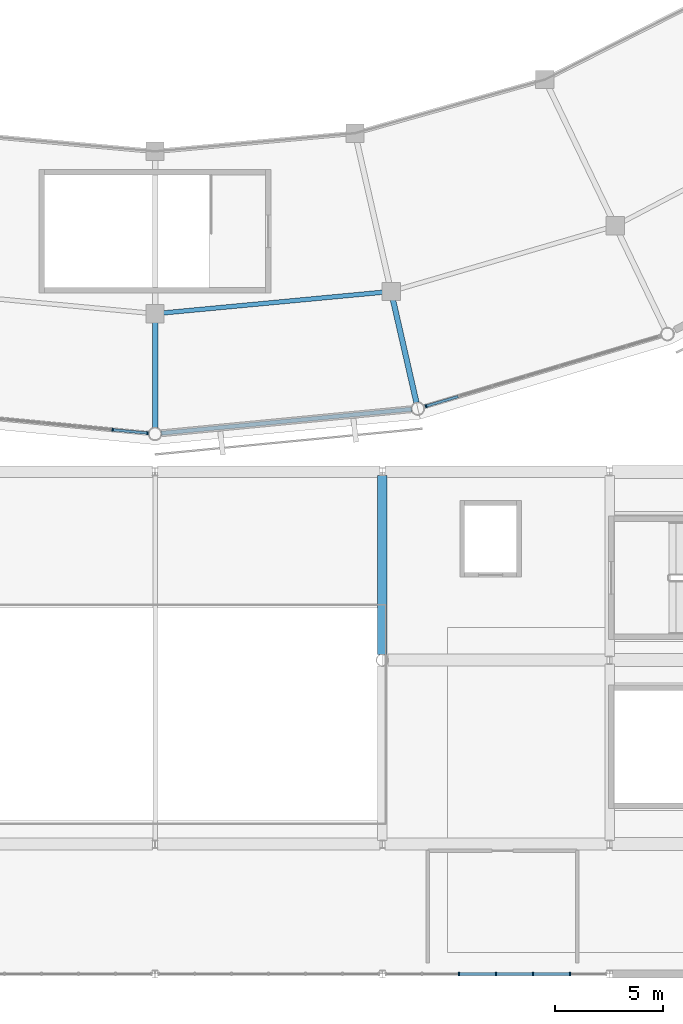
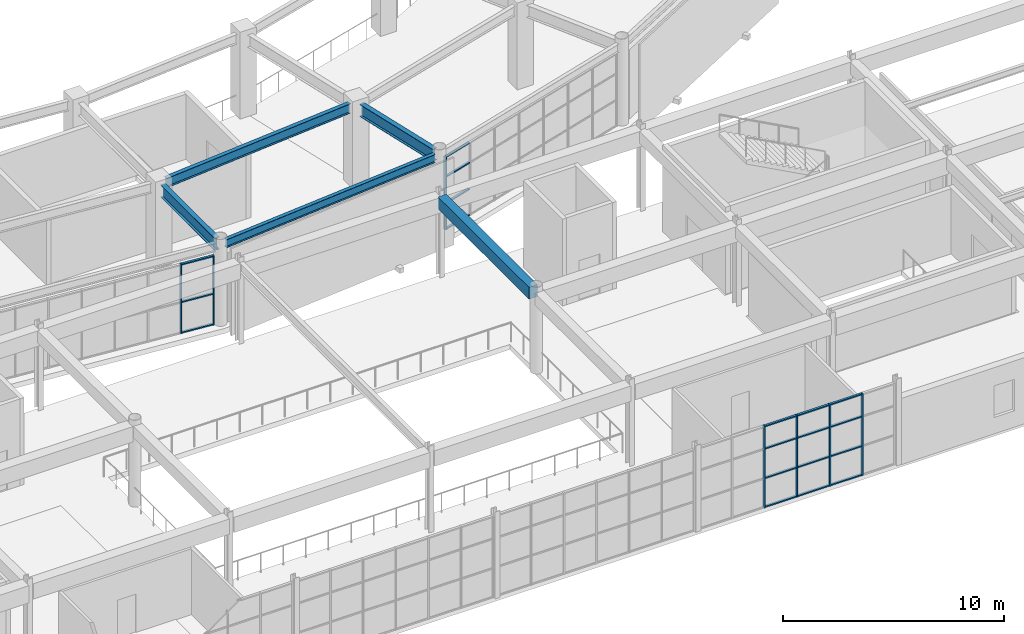
# One storey, part 28 of 112: 26 members, 5 beams, 3 elements without a shape of their own.
"""IFC4 building model written with IfcOpenShell, lengths in metres."""

import ifcopenshell
import ifcopenshell.guid

model = None  # the IFC model being written
_history = None  # IfcOwnerHistory: only IFC2X3 demands one
_inside = {}  # id of a spatial element -> (the spatial element, [elements in it])
_under = {}  # id of a project, library or spatial element -> (it, [spatial elements below it])
_declared = {}  # id of a project -> (the project, [libraries it declares])
_typed = {}  # id of a type object -> (the type object, [elements of that type])
_made_of = {}  # id of a material, layer set ... -> (it, [elements and type objects made of it])


def new_model(schema):
    """Start an empty IFC model of exactly this schema.

    Asked for "IFC4X3", IfcOpenShell would pick the latest addendum, in which some entities
    have other attributes; the version numbers below select the first issue.
    IFC2X3 requires an IfcOwnerHistory on every rooted entity: one is made here for all.
    """
    global model, _history
    if schema == "IFC4X3":
        model = ifcopenshell.file(schema_version=(4, 3, 0, 0))
    else:
        model = ifcopenshell.file(schema=schema)
    _inside.clear()
    _under.clear()
    _declared.clear()
    _typed.clear()
    _made_of.clear()
    _history = None
    if model.schema == "IFC2X3":
        org = make("IfcOrganization", Name="unknown")
        user = make(
            "IfcPersonAndOrganization",
            ThePerson=make("IfcPerson", FamilyName="unknown"),
            TheOrganization=org,
        )
        app = make(
            "IfcApplication",
            ApplicationDeveloper=org,
            Version="unknown",
            ApplicationFullName="unknown",
            ApplicationIdentifier="unknown",
        )
        _history = make(
            "IfcOwnerHistory",
            OwningUser=user,
            OwningApplication=app,
            ChangeAction="ADDED",
            CreationDate=0,
        )
    return model


def make(cls, **values):
    """One entity of the class cls with the attributes given. An attribute that is None is left unset."""
    return model.create_entity(
        cls, **{name: value for name, value in values.items() if value is not None}
    )


def rooted(cls, **values):
    """An entity with a GlobalId (a new one), such as an element, a storey or a relation."""
    return make(cls, GlobalId=ifcopenshell.guid.new(), OwnerHistory=_history, **values)


def si_unit(unit_type, name, prefix=None):
    """IfcSIUnit, for example si_unit("LENGTHUNIT", "METRE", prefix="MILLI")."""
    return make("IfcSIUnit", UnitType=unit_type, Prefix=prefix, Name=name)


def assignment(units):
    """IfcUnitAssignment: the units of a project."""
    return None if units is None else make("IfcUnitAssignment", Units=units)


def point(xyz):
    """IfcCartesianPoint."""
    return None if xyz is None else make("IfcCartesianPoint", Coordinates=xyz)


def direction(xyz):
    """IfcDirection."""
    return None if xyz is None else make("IfcDirection", DirectionRatios=xyz)


def frame(location, z_axis=None, x_axis=None):
    """IfcAxis2Placement3D, a coordinate frame: its origin and axes. An axis left out is left unset."""
    return make(
        "IfcAxis2Placement3D",
        Location=point(location),
        Axis=direction(z_axis),
        RefDirection=direction(x_axis),
    )


def frame_2d(location, x_axis=None):
    """IfcAxis2Placement2D, a coordinate frame in the plane: its origin and x axis."""
    return make(
        "IfcAxis2Placement2D", Location=point(location), RefDirection=direction(x_axis)
    )


def origin():
    """The frame at (0, 0, 0) with its axes left unset."""
    return frame((0.0, 0.0, 0.0))


def origin_2d():
    """The frame at (0, 0) in the plane with its x axis left unset."""
    return frame_2d((0.0, 0.0))


def place(relative_to, where):
    """IfcLocalPlacement: puts the frame where relative to a parent placement (None: the world)."""
    return make(
        "IfcLocalPlacement", PlacementRelTo=relative_to, RelativePlacement=where
    )


def context(
    kind, dimensions, precision=None, world=None, true_north=None, identifier=None
):
    """IfcGeometricRepresentationContext, for example the 3D "Model" context."""
    return make(
        "IfcGeometricRepresentationContext",
        ContextIdentifier=identifier,
        ContextType=kind,
        CoordinateSpaceDimension=dimensions,
        Precision=precision,
        WorldCoordinateSystem=world,
        TrueNorth=true_north,
    )


def subcontext(parent, identifier, kind, view, scale=None):
    """IfcGeometricRepresentationSubContext, for example "Body" below "Model"."""
    return make(
        "IfcGeometricRepresentationSubContext",
        ContextIdentifier=identifier,
        ContextType=kind,
        ParentContext=parent,
        TargetScale=scale,
        TargetView=view,
    )


def project(units=None, contexts=None):
    """IfcProject with its units and contexts."""
    return rooted(
        "IfcProject",
        Name="project",
        RepresentationContexts=contexts,
        UnitsInContext=assignment(units),
    )


def spatial(cls, under=None, at=None, **own):
    """A site, building, storey or space (cls), placed at a placement, below another one or the project."""
    s = rooted(cls, ObjectPlacement=at, **own)
    if under is not None:
        _under.setdefault(under.id(), (under, []))[1].append(s)
    return s


def profile(cls, at=None, kind="AREA", **sizes):
    """A parametric profile (cls). Its sizes go by their IFC names, for example OverallWidth=200.0."""
    return make(cls, ProfileType=kind, Position=at, **sizes)


def rectangle(**sizes):
    """IfcRectangleProfileDef."""
    return profile("IfcRectangleProfileDef", **sizes)


def i_section(**sizes):
    """IfcIShapeProfileDef."""
    return profile("IfcIShapeProfileDef", **sizes)


def extrude(swept, where, along, depth):
    """IfcExtrudedAreaSolid: the profile swept, set in the frame where, extruded along a direction by depth."""
    return make(
        "IfcExtrudedAreaSolid",
        SweptArea=swept,
        Position=where,
        ExtrudedDirection=direction(along),
        Depth=depth,
    )


def shape(context_of_items, identifier, shape_type, items):
    """IfcShapeRepresentation: the items that make up one representation, for example the "Body"."""
    return make(
        "IfcShapeRepresentation",
        ContextOfItems=context_of_items,
        RepresentationIdentifier=identifier,
        RepresentationType=shape_type,
        Items=items,
    )


def material(Name=None, Category=None):
    """IfcMaterial."""
    return make("IfcMaterial", Name=Name, Category=Category)


def material_profile(
    of_material, cross_section, Name=None, Category=None, Priority=None
):
    """IfcMaterialProfile: a cross section and its material."""
    return make(
        "IfcMaterialProfile",
        Name=Name,
        Material=of_material,
        Profile=cross_section,
        Priority=Priority,
        Category=Category,
    )


def profile_set(profiles, Name=None, composite=None):
    """IfcMaterialProfileSet."""
    return make(
        "IfcMaterialProfileSet",
        Name=Name,
        MaterialProfiles=profiles,
        CompositeProfile=composite,
    )


def made_of(thing, what):
    """Note that an element or type object is made of a material, layer set ...; save() writes the relation."""
    if what is not None:
        _made_of.setdefault(what.id(), (what, []))[1].append(thing)
    return thing


def type_object(cls, material=None, **own):
    """A type object (cls), such as IfcWallType, which elements share."""
    return made_of(rooted(cls, **own), material)


def element(
    cls,
    number,
    at=None,
    inside=None,
    cuts=None,
    type_object=None,
    material=None,
    context=None,
    identifier="Body",
    shape_type=None,
    held_by="IfcProductDefinitionShape",
    body=None,
    shapes=None,
    **own,
):
    """One element of the class cls, such as IfcWall. Its Tag is "e" and its number.

    at: its placement. inside: the storey or other place that contains it. cuts: it is an
    opening in that element (IfcRelVoidsElement). A single representation is given by context,
    identifier, shape_type and body (its items); several are given by shapes. held_by: the class
    of the entity that holds the representations. save() writes the other relations.
    """
    e = rooted(cls, Tag="e%d" % number, ObjectPlacement=at, **own)
    if body is not None:
        shapes = [shape(context, identifier, shape_type, body)]
    if shapes is not None:
        e.Representation = make(held_by, Representations=shapes)
    if inside is not None:
        _inside.setdefault(inside.id(), (inside, []))[1].append(e)
    if cuts is not None:
        rooted(
            "IfcRelVoidsElement", RelatingBuildingElement=cuts, RelatedOpeningElement=e
        )
    if type_object is not None:
        _typed.setdefault(type_object.id(), (type_object, []))[1].append(e)
    return made_of(e, material)


def aggregate(whole, parts):
    """IfcRelAggregates: a whole, such as a stair, and the parts it consists of."""
    return rooted("IfcRelAggregates", RelatingObject=whole, RelatedObjects=parts)


def save(model, path):
    """Write the relations noted so far, then the file.

    IfcRelAggregates (storeys below a building ...), IfcRelContainedInSpatialStructure (elements
    in a storey), IfcRelDefinesByType, IfcRelAssociatesMaterial and IfcRelDeclares: one each for
    every whole, place, type object, material and project.
    """
    for whole, parts in _under.values():
        aggregate(whole, parts)
    for where, things in _inside.values():
        rooted(
            "IfcRelContainedInSpatialStructure",
            RelatedElements=things,
            RelatingStructure=where,
        )
    for kind, things in _typed.values():
        rooted("IfcRelDefinesByType", RelatedObjects=things, RelatingType=kind)
    for what, things in _made_of.values():
        rooted("IfcRelAssociatesMaterial", RelatedObjects=things, RelatingMaterial=what)
    for by, libraries in _declared.values():
        rooted("IfcRelDeclares", RelatingContext=by, RelatedDefinitions=libraries)
    model.write(path)


model = new_model("IFC4")

# Units and contexts
model_context = context("Model", 3, precision=1e-05, world=origin(), true_north=direction((0.0, 1.0)))
body_context = subcontext(model_context, "Body", "Model", "MODEL_VIEW")
ifc_project = project(units=[si_unit("LENGTHUNIT", "METRE"), si_unit("AREAUNIT", "SQUARE_METRE"), si_unit("VOLUMEUNIT", "CUBIC_METRE"), si_unit("PLANEANGLEUNIT", "RADIAN"), si_unit("MASSUNIT", "GRAM", prefix="KILO")], contexts=[model_context])

# Site, building, storey
site_placement = place(None, origin())
site = spatial("IfcSite", under=ifc_project, at=site_placement, CompositionType="ELEMENT")
building_placement = place(site_placement, origin())
building = spatial("IfcBuilding", under=site, at=building_placement, Name="Cuetzalor Civic Arena", CompositionType="ELEMENT")
storey_placement = place(building_placement, frame((0.0, 0.0, 11.39990234375)))
storey = spatial("IfcBuildingStorey", under=building, at=storey_placement, Name="L02", CompositionType="ELEMENT", Elevation=11.39990234375)

# Beam
ifc_material_1 = material(Name="Concrete C40/50", Category="concrete")
ifc_material_profile_1 = material_profile(ifc_material_1, rectangle(XDim=0.449951171875, YDim=0.64990234375, at=origin_2d()), Name="RC 450x650")
ifc_profile_set_1 = profile_set([ifc_material_profile_1], Name="Concrete C40/50")
beam_type_1 = type_object("IfcBeamType", Name="ConcreteTieBeam_450x650", PredefinedType="BEAM", material=ifc_profile_set_1)
beam_1_placement = place(storey_placement, frame((10.5, -56.73046875, 4.195068359375), z_axis=(0.0, 1.0, 0.0), x_axis=(-1.0, 0.0, 0.0)))
element("IfcBeam", 1, at=beam_1_placement, inside=storey, type_object=beam_type_1, Name="Frame Girder V3-L02-Y0613", PredefinedType="BEAM", context=body_context, shape_type="SweptSolid", body=[
    extrude(rectangle(XDim=0.449951171875, YDim=0.64990234375, at=origin_2d()), origin(), (0.0, 0.0, 1.0), 8.259033203125),
])

# Curtain wall, members
ifc_material_2 = material(Name="Anodised dark bronze aluminium and low-E solar glass", Category="aluminium")
curtain_wall_type_1 = type_object("IfcCurtainWallType", Name="UnitisedCW_11550x3850", PredefinedType="USERDEFINED", material=ifc_material_2)
curtain_wall_1_placement = place(storey_placement, origin())
curtain_wall_1 = element("IfcCurtainWall", 2, at=curtain_wall_1_placement, inside=storey, type_object=curtain_wall_type_1, Name="Drum Triangle Foyer Curtain Wall L02-041", ObjectType="UNITISED CURTAIN WALL", PredefinedType="USERDEFINED")
ifc_material_3 = material(Name="Anodised dark bronze aluminium", Category="aluminium")
ifc_material_profile_2 = material_profile(ifc_material_3, rectangle(XDim=0.06494140625, YDim=0.14990234375, at=origin_2d()), Name="ALU MULLION 65x150")
ifc_profile_set_2 = profile_set([ifc_material_profile_2], Name="Anodised dark bronze aluminium")
member_type_1 = type_object("IfcMemberType", Name="CurtainWallMullion_60x150", PredefinedType="MULLION", material=ifc_profile_set_2)
member_1_placement = place(storey_placement, frame((-0.345703125, -46.516845703125, 0.0), z_axis=(0.0, 0.0, 1.0), x_axis=(-0.995409139996, 0.095711253324, 0.0)))
member_1 = element("IfcMember", 3, at=member_1_placement, type_object=member_type_1, Name="CW-14 mullion 1", PredefinedType="MULLION", context=body_context, shape_type="SweptSolid", body=[
    extrude(rectangle(XDim=0.06494140625, YDim=0.14990234375, at=origin_2d()), origin(), (0.0, 0.0, 1.0), 3.83203125),
])
member_2_placement = place(storey_placement, frame((-1.957763671875, -46.36181640625, 0.0), z_axis=(0.0, 0.0, 1.0), x_axis=(-0.995409139996, 0.095711253324, 0.0)))
member_2 = element("IfcMember", 4, at=member_2_placement, type_object=member_type_1, Name="CW-14 mullion 2", PredefinedType="MULLION", context=body_context, shape_type="SweptSolid", body=[
    extrude(rectangle(XDim=0.06494140625, YDim=0.14990234375, at=origin_2d()), origin(), (0.0, 0.0, 1.0), 3.83203125),
])

# Curtain wall, member
ifc_material_4 = material(Name="Anodised dark bronze aluminium and low-E solar glass", Category="aluminium")
curtain_wall_type_2 = type_object("IfcCurtainWallType", Name="UnitisedCW_11300x4050", PredefinedType="USERDEFINED", material=ifc_material_4)
curtain_wall_2_placement = place(storey_placement, origin())
curtain_wall_2 = element("IfcCurtainWall", 5, at=curtain_wall_2_placement, inside=storey, type_object=curtain_wall_type_2, Name="Drum Triangle Foyer Curtain Wall L02-042", ObjectType="UNITISED CURTAIN WALL", PredefinedType="USERDEFINED")
member_3_placement = place(storey_placement, frame((12.51611328125, -45.270263671875, 0.0), z_axis=(0.0, 0.0, 1.0), x_axis=(-0.958193690548, -0.286120344251, 0.0)))
member_3 = element("IfcMember", 6, at=member_3_placement, type_object=member_type_1, Name="CW-15 mullion 8", PredefinedType="MULLION", context=body_context, shape_type="SweptSolid", body=[
    extrude(rectangle(XDim=0.06494140625, YDim=0.14990234375, at=origin_2d()), origin(), (0.0, 0.0, 1.0), 4.052978515625),
])

# Curtain wall, members
ifc_material_5 = material(Name="Anodised dark bronze aluminium and low-E solar glass", Category="aluminium")
curtain_wall_type_3 = type_object("IfcCurtainWallType", Name="StickCW_10250x4500", PredefinedType="USERDEFINED", material=ifc_material_5)
curtain_wall_3_placement = place(storey_placement, origin())
curtain_wall_3 = element("IfcCurtainWall", 7, at=curtain_wall_3_placement, inside=storey, type_object=curtain_wall_type_3, Name="South Civic Square Curtain Wall L02-090", ObjectType="STICK CURTAIN WALL", PredefinedType="USERDEFINED")
member_4_placement = place(storey_placement, frame((19.1669921875, -71.5, 0.0), z_axis=(0.0, 0.0, 1.0), x_axis=(-1.0, 0.0, 0.0)))
member_4 = element("IfcMember", 8, at=member_4_placement, type_object=member_type_1, Name="CW-27 mullion 2", PredefinedType="MULLION", context=body_context, shape_type="SweptSolid", body=[
    extrude(rectangle(XDim=0.06494140625, YDim=0.14990234375, at=origin_2d()), origin(), (0.0, 0.0, 1.0), 4.52001953125),
])
member_5_placement = place(storey_placement, frame((17.45849609375, -71.5, 0.0), z_axis=(0.0, 0.0, 1.0), x_axis=(-1.0, 0.0, 0.0)))
member_5 = element("IfcMember", 9, at=member_5_placement, type_object=member_type_1, Name="CW-27 mullion 3", PredefinedType="MULLION", context=body_context, shape_type="SweptSolid", body=[
    extrude(rectangle(XDim=0.06494140625, YDim=0.14990234375, at=origin_2d()), origin(), (0.0, 0.0, 1.0), 4.52001953125),
])
member_6_placement = place(storey_placement, frame((15.75, -71.5, 0.0), z_axis=(0.0, 0.0, 1.0), x_axis=(-1.0, 0.0, 0.0)))
member_6 = element("IfcMember", 10, at=member_6_placement, type_object=member_type_1, Name="CW-27 mullion 4", PredefinedType="MULLION", context=body_context, shape_type="SweptSolid", body=[
    extrude(rectangle(XDim=0.06494140625, YDim=0.14990234375, at=origin_2d()), origin(), (0.0, 0.0, 1.0), 4.52001953125),
])
member_7_placement = place(storey_placement, frame((14.04150390625, -71.5, 0.0), z_axis=(0.0, 0.0, 1.0), x_axis=(-1.0, 0.0, 0.0)))
member_7 = element("IfcMember", 11, at=member_7_placement, type_object=member_type_1, Name="CW-27 mullion 5", PredefinedType="MULLION", context=body_context, shape_type="SweptSolid", body=[
    extrude(rectangle(XDim=0.06494140625, YDim=0.14990234375, at=origin_2d()), origin(), (0.0, 0.0, 1.0), 4.52001953125),
])

# Member
ifc_material_6 = material(Name="Anodised dark bronze aluminium", Category="aluminium")
ifc_material_profile_3 = material_profile(ifc_material_6, rectangle(XDim=0.1201171875, YDim=0.06494140625, at=origin_2d()), Name="ALU TRANSOM 65x120")
ifc_profile_set_3 = profile_set([ifc_material_profile_3], Name="Anodised dark bronze aluminium")
member_type_2 = type_object("IfcMemberType", Name="CurtainWallTransom_60x120", PredefinedType="USERDEFINED", material=ifc_profile_set_3)
member_8_placement = place(storey_placement, frame((-0.3779296875, -46.513671875, 0.03271484375), z_axis=(-0.995416793915, 0.095631618157, 0.0), x_axis=(-0.095631618157, -0.995416793915, 0.0)))
member_8 = element("IfcMember", 12, at=member_8_placement, type_object=member_type_2, Name="CW-14 transom 1.1", ObjectType="TRANSOM", PredefinedType="USERDEFINED", context=body_context, shape_type="SweptSolid", body=[
    extrude(rectangle(XDim=0.1201171875, YDim=0.06494140625, at=origin_2d()), origin(), (0.0, 0.0, 1.0), 1.5546875),
])

member_9_placement = place(storey_placement, frame((-0.3779296875, -46.513671875, 1.72412109375), z_axis=(-0.995416793915, 0.095631618157, 0.0), x_axis=(-0.095631618157, -0.995416793915, 0.0)))
member_9 = element("IfcMember", 13, at=member_9_placement, type_object=member_type_2, Name="CW-14 transom 1.2", ObjectType="TRANSOM", PredefinedType="USERDEFINED", context=body_context, shape_type="SweptSolid", body=[
    extrude(rectangle(XDim=0.1201171875, YDim=0.06494140625, at=origin_2d()), origin(), (0.0, 0.0, 1.0), 1.5546875),
])

member_10_placement = place(storey_placement, frame((-0.3779296875, -46.513671875, 3.799560546875), z_axis=(-0.995416793915, 0.095631618157, 0.0), x_axis=(-0.095631618157, -0.995416793915, 0.0)))
member_10 = element("IfcMember", 14, at=member_10_placement, type_object=member_type_2, Name="CW-14 transom 1.3", ObjectType="TRANSOM", PredefinedType="USERDEFINED", context=body_context, shape_type="SweptSolid", body=[
    extrude(rectangle(XDim=0.1201171875, YDim=0.06494140625, at=origin_2d()), origin(), (0.0, 0.0, 1.0), 1.5546875),
])

aggregate(curtain_wall_1, [member_1, member_2, member_8, member_9, member_10])

member_11_placement = place(storey_placement, frame((14.001953125, -44.826416015625, 0.03271484375), z_axis=(-0.958166375169, -0.286211805303, 0.0), x_axis=(0.286211805303, -0.958166375169, 0.0)))
member_11 = element("IfcMember", 15, at=member_11_placement, type_object=member_type_2, Name="CW-15 transom 7.1", ObjectType="TRANSOM", PredefinedType="USERDEFINED", context=body_context, shape_type="SweptSolid", body=[
    extrude(rectangle(XDim=0.1201171875, YDim=0.06494140625, at=origin_2d()), origin(), (0.0, 0.0, 1.0), 1.518310546875),
])

member_12_placement = place(storey_placement, frame((14.001953125, -44.826416015625, 1.458984375), z_axis=(-0.958166375169, -0.286211805303, 0.0), x_axis=(0.286211805303, -0.958166375169, 0.0)))
member_12 = element("IfcMember", 16, at=member_12_placement, type_object=member_type_2, Name="CW-15 transom 7.2", ObjectType="TRANSOM", PredefinedType="USERDEFINED", context=body_context, shape_type="SweptSolid", body=[
    extrude(rectangle(XDim=0.1201171875, YDim=0.06494140625, at=origin_2d()), origin(), (0.0, 0.0, 1.0), 1.518310546875),
])

member_13_placement = place(storey_placement, frame((14.001953125, -44.826416015625, 2.918212890625), z_axis=(-0.958166375169, -0.286211805303, 0.0), x_axis=(0.286211805303, -0.958166375169, 0.0)))
member_13 = element("IfcMember", 17, at=member_13_placement, type_object=member_type_2, Name="CW-15 transom 7.3", ObjectType="TRANSOM", PredefinedType="USERDEFINED", context=body_context, shape_type="SweptSolid", body=[
    extrude(rectangle(XDim=0.1201171875, YDim=0.06494140625, at=origin_2d()), origin(), (0.0, 0.0, 1.0), 1.518310546875),
])

member_14_placement = place(storey_placement, frame((14.001953125, -44.826416015625, 4.0205078125), z_axis=(-0.958166375169, -0.286211805303, 0.0), x_axis=(0.286211805303, -0.958166375169, 0.0)))
member_14 = element("IfcMember", 18, at=member_14_placement, type_object=member_type_2, Name="CW-15 transom 7.4", ObjectType="TRANSOM", PredefinedType="USERDEFINED", context=body_context, shape_type="SweptSolid", body=[
    extrude(rectangle(XDim=0.1201171875, YDim=0.06494140625, at=origin_2d()), origin(), (0.0, 0.0, 1.0), 1.518310546875),
])

aggregate(curtain_wall_2, [member_3, member_11, member_12, member_13, member_14])

member_15_placement = place(storey_placement, frame((19.134521484375, -71.5, 0.03271484375), z_axis=(-1.0, 0.0, 0.0), x_axis=(0.0, -1.0, 0.0)))
member_15 = element("IfcMember", 19, at=member_15_placement, type_object=member_type_2, Name="CW-27 transom 2.1", ObjectType="TRANSOM", PredefinedType="USERDEFINED", context=body_context, shape_type="SweptSolid", body=[
    extrude(rectangle(XDim=0.1201171875, YDim=0.06494140625, at=origin_2d()), origin(), (0.0, 0.0, 1.0), 1.6435546875),
])

member_16_placement = place(storey_placement, frame((19.134521484375, -71.5, 1.627197265625), z_axis=(-1.0, 0.0, 0.0), x_axis=(0.0, -1.0, 0.0)))
member_16 = element("IfcMember", 20, at=member_16_placement, type_object=member_type_2, Name="CW-27 transom 2.2", ObjectType="TRANSOM", PredefinedType="USERDEFINED", context=body_context, shape_type="SweptSolid", body=[
    extrude(rectangle(XDim=0.1201171875, YDim=0.06494140625, at=origin_2d()), origin(), (0.0, 0.0, 1.0), 1.6435546875),
])

member_17_placement = place(storey_placement, frame((19.134521484375, -71.5, 3.254150390625), z_axis=(-1.0, 0.0, 0.0), x_axis=(0.0, -1.0, 0.0)))
member_17 = element("IfcMember", 21, at=member_17_placement, type_object=member_type_2, Name="CW-27 transom 2.3", ObjectType="TRANSOM", PredefinedType="USERDEFINED", context=body_context, shape_type="SweptSolid", body=[
    extrude(rectangle(XDim=0.1201171875, YDim=0.06494140625, at=origin_2d()), origin(), (0.0, 0.0, 1.0), 1.6435546875),
])

member_18_placement = place(storey_placement, frame((19.134521484375, -71.5, 4.487548828125), z_axis=(-1.0, 0.0, 0.0), x_axis=(0.0, -1.0, 0.0)))
member_18 = element("IfcMember", 22, at=member_18_placement, type_object=member_type_2, Name="CW-27 transom 2.4", ObjectType="TRANSOM", PredefinedType="USERDEFINED", context=body_context, shape_type="SweptSolid", body=[
    extrude(rectangle(XDim=0.1201171875, YDim=0.06494140625, at=origin_2d()), origin(), (0.0, 0.0, 1.0), 1.6435546875),
])

member_19_placement = place(storey_placement, frame((17.426025390625, -71.5, 0.03271484375), z_axis=(-1.0, 0.0, 0.0), x_axis=(0.0, -1.0, 0.0)))
member_19 = element("IfcMember", 23, at=member_19_placement, type_object=member_type_2, Name="CW-27 transom 3.1", ObjectType="TRANSOM", PredefinedType="USERDEFINED", context=body_context, shape_type="SweptSolid", body=[
    extrude(rectangle(XDim=0.1201171875, YDim=0.06494140625, at=origin_2d()), origin(), (0.0, 0.0, 1.0), 1.6435546875),
])

member_20_placement = place(storey_placement, frame((17.426025390625, -71.5, 1.627197265625), z_axis=(-1.0, 0.0, 0.0), x_axis=(0.0, -1.0, 0.0)))
member_20 = element("IfcMember", 24, at=member_20_placement, type_object=member_type_2, Name="CW-27 transom 3.2", ObjectType="TRANSOM", PredefinedType="USERDEFINED", context=body_context, shape_type="SweptSolid", body=[
    extrude(rectangle(XDim=0.1201171875, YDim=0.06494140625, at=origin_2d()), origin(), (0.0, 0.0, 1.0), 1.6435546875),
])

member_21_placement = place(storey_placement, frame((17.426025390625, -71.5, 3.254150390625), z_axis=(-1.0, 0.0, 0.0), x_axis=(0.0, -1.0, 0.0)))
member_21 = element("IfcMember", 25, at=member_21_placement, type_object=member_type_2, Name="CW-27 transom 3.3", ObjectType="TRANSOM", PredefinedType="USERDEFINED", context=body_context, shape_type="SweptSolid", body=[
    extrude(rectangle(XDim=0.1201171875, YDim=0.06494140625, at=origin_2d()), origin(), (0.0, 0.0, 1.0), 1.6435546875),
])

member_22_placement = place(storey_placement, frame((17.426025390625, -71.5, 4.487548828125), z_axis=(-1.0, 0.0, 0.0), x_axis=(0.0, -1.0, 0.0)))
member_22 = element("IfcMember", 26, at=member_22_placement, type_object=member_type_2, Name="CW-27 transom 3.4", ObjectType="TRANSOM", PredefinedType="USERDEFINED", context=body_context, shape_type="SweptSolid", body=[
    extrude(rectangle(XDim=0.1201171875, YDim=0.06494140625, at=origin_2d()), origin(), (0.0, 0.0, 1.0), 1.6435546875),
])

member_23_placement = place(storey_placement, frame((15.717529296875, -71.5, 0.03271484375), z_axis=(-1.0, 0.0, 0.0), x_axis=(0.0, -1.0, 0.0)))
member_23 = element("IfcMember", 27, at=member_23_placement, type_object=member_type_2, Name="CW-27 transom 4.1", ObjectType="TRANSOM", PredefinedType="USERDEFINED", context=body_context, shape_type="SweptSolid", body=[
    extrude(rectangle(XDim=0.1201171875, YDim=0.06494140625, at=origin_2d()), origin(), (0.0, 0.0, 1.0), 1.6435546875),
])

member_24_placement = place(storey_placement, frame((15.717529296875, -71.5, 1.627197265625), z_axis=(-1.0, 0.0, 0.0), x_axis=(0.0, -1.0, 0.0)))
member_24 = element("IfcMember", 28, at=member_24_placement, type_object=member_type_2, Name="CW-27 transom 4.2", ObjectType="TRANSOM", PredefinedType="USERDEFINED", context=body_context, shape_type="SweptSolid", body=[
    extrude(rectangle(XDim=0.1201171875, YDim=0.06494140625, at=origin_2d()), origin(), (0.0, 0.0, 1.0), 1.6435546875),
])

member_25_placement = place(storey_placement, frame((15.717529296875, -71.5, 3.254150390625), z_axis=(-1.0, 0.0, 0.0), x_axis=(0.0, -1.0, 0.0)))
member_25 = element("IfcMember", 29, at=member_25_placement, type_object=member_type_2, Name="CW-27 transom 4.3", ObjectType="TRANSOM", PredefinedType="USERDEFINED", context=body_context, shape_type="SweptSolid", body=[
    extrude(rectangle(XDim=0.1201171875, YDim=0.06494140625, at=origin_2d()), origin(), (0.0, 0.0, 1.0), 1.6435546875),
])

member_26_placement = place(storey_placement, frame((15.717529296875, -71.5, 4.487548828125), z_axis=(-1.0, 0.0, 0.0), x_axis=(0.0, -1.0, 0.0)))
member_26 = element("IfcMember", 30, at=member_26_placement, type_object=member_type_2, Name="CW-27 transom 4.4", ObjectType="TRANSOM", PredefinedType="USERDEFINED", context=body_context, shape_type="SweptSolid", body=[
    extrude(rectangle(XDim=0.1201171875, YDim=0.06494140625, at=origin_2d()), origin(), (0.0, 0.0, 1.0), 1.6435546875),
])

aggregate(curtain_wall_3, [member_4, member_5, member_6, member_7, member_15, member_16, member_17, member_18, member_19, member_20, member_21, member_22, member_23, member_24, member_25, member_26])

# Beams
ifc_material_7 = material(Name="Steel S355", Category="steel")
ifc_material_profile_4 = material_profile(ifc_material_7, i_section(OverallWidth=0.18994140625, OverallDepth=0.45703125, WebThickness=0.009033203125, FlangeThickness=0.014404296875, at=origin_2d()), Name="W460x74")
ifc_profile_set_4 = profile_set([ifc_material_profile_4], Name="Steel S355")
beam_type_2 = type_object("IfcBeamType", Name="FacadeSpandrelBeam_W460", PredefinedType="SPANDREL", material=ifc_profile_set_4)
beam_2_placement = place(storey_placement, frame((0.288818359375, -46.522216796875, 4.29150390625), z_axis=(0.995409568272, 0.095706799095, 0.0), x_axis=(-0.095706799095, 0.995409568272, 0.0)))
element("IfcBeam", 31, at=beam_2_placement, inside=storey, type_object=beam_type_2, Name="Drum Perimeter Spandrel L02-S22", PredefinedType="SPANDREL", context=body_context, shape_type="SweptSolid", body=[
    extrude(i_section(OverallWidth=0.18994140625, OverallDepth=0.45703125, WebThickness=0.009033203125, FlangeThickness=0.014404296875, at=origin_2d()), origin(), (0.0, 0.0, 1.0), 11.6142578125),
])
ifc_material_8 = material(Name="Steel S355", Category="steel")
ifc_material_profile_5 = material_profile(ifc_material_8, i_section(OverallWidth=0.208984375, OverallDepth=0.532958984375, WebThickness=0.01025390625, FlangeThickness=0.015625, at=origin_2d()), Name="W530x92")
ifc_profile_set_5 = profile_set([ifc_material_profile_5], Name="Steel S355")
beam_type_3 = type_object("IfcBeamType", Name="SteelCollarGirder_W530", PredefinedType="BEAM", material=ifc_profile_set_5)
beam_3_placement = place(storey_placement, frame((0.368408203125, -40.96533203125, 4.253662109375), z_axis=(0.995583045118, 0.093885037538, 0.0), x_axis=(-0.093885037538, 0.995583045118, 0.0)))
element("IfcBeam", 32, at=beam_3_placement, inside=storey, type_object=beam_type_3, Name="Drum Concourse Ring Girder L02-S22", PredefinedType="BEAM", context=body_context, shape_type="SweptSolid", body=[
    extrude(i_section(OverallWidth=0.208984375, OverallDepth=0.532958984375, WebThickness=0.01025390625, FlangeThickness=0.015625, at=origin_2d()), origin(), (0.0, 0.0, 1.0), 10.2119140625),
])
ifc_material_9 = material(Name="Steel S355", Category="steel")
ifc_material_profile_6 = material_profile(ifc_material_9, i_section(OverallWidth=0.2529296875, OverallDepth=0.677978515625, WebThickness=0.01171875, FlangeThickness=0.016357421875, at=origin_2d()), Name="W690x125")
ifc_profile_set_6 = profile_set([ifc_material_profile_6], Name="Steel S355")
beam_type_4 = type_object("IfcBeamType", Name="SteelPrimaryGirder_W690", PredefinedType="BEAM", material=ifc_profile_set_6)
for number, where, z_axis, x_axis, name in (
    (33, (0.0, -41.360107421875, 4.18115234375), (0.0, -1.0, 0.0), (1.0, 0.0, 0.0), "Drum Radial Girder L02-R22"),
    (34, (10.983642578125, -40.322998046875, 4.18115234375), (0.222519036633, -0.974928345231, 0.0), (0.974928345231, 0.222519036633, 0.0), "Drum Radial Girder L02-R23"),
):
    element("IfcBeam", number, at=place(storey_placement, frame(where, z_axis=z_axis, x_axis=x_axis)), inside=storey, type_object=beam_type_4, Name=name, PredefinedType="BEAM", context=body_context, shape_type="SweptSolid", body=[
        extrude(i_section(OverallWidth=0.2529296875, OverallDepth=0.677978515625, WebThickness=0.01171875, FlangeThickness=0.016357421875, at=origin_2d()), origin(), (0.0, 0.0, 1.0), 4.89990234375),
    ])

save(model, "model.ifc")
